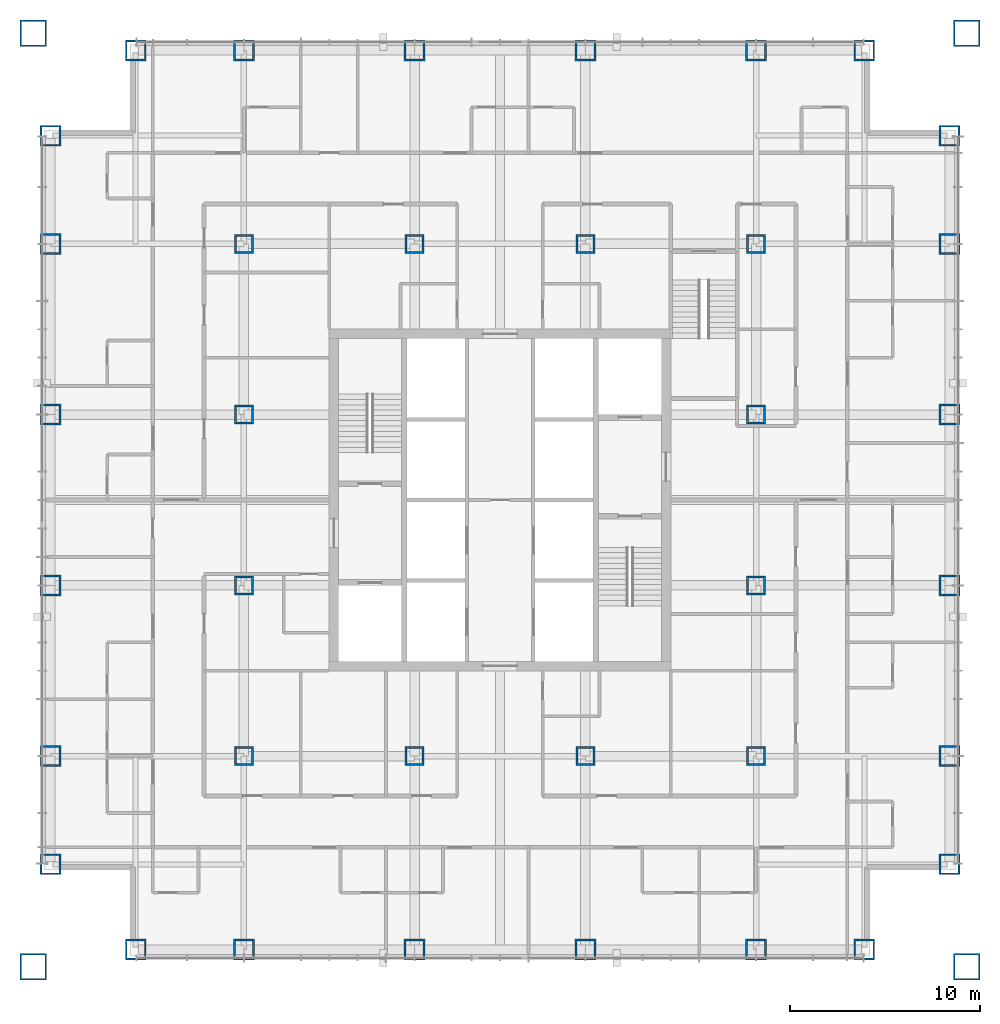
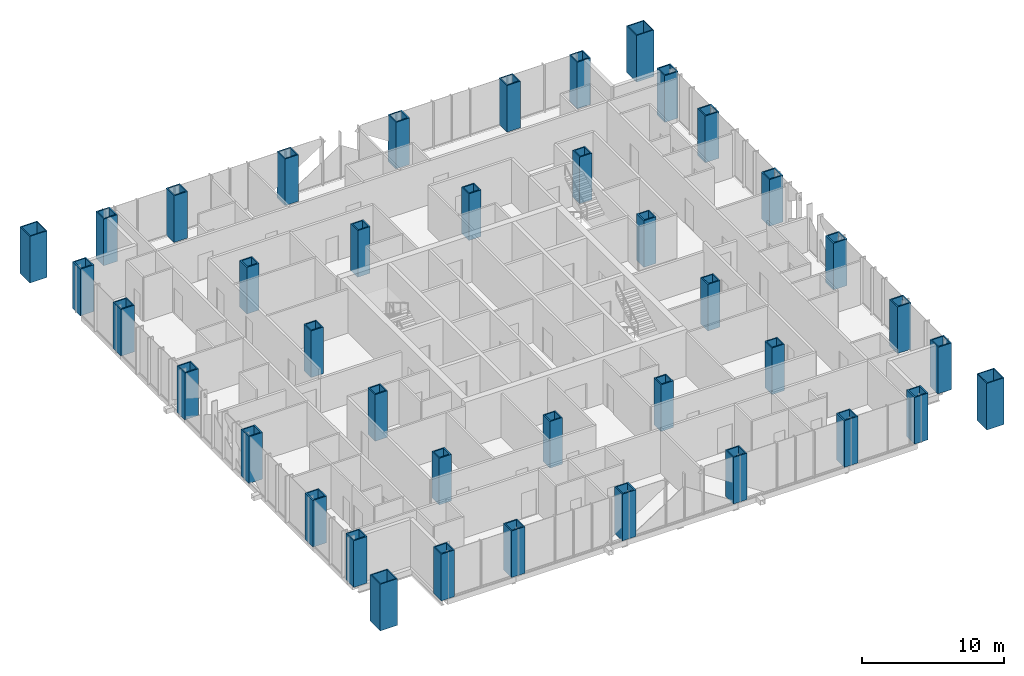
# One storey, part 1 of 16: 40 columns.
"""IFC4 building model written with IfcOpenShell, lengths in metres."""

from ifc_helpers import new_model, si_unit, direction, frame, origin, origin_2d, place, context, subcontext, project, spatial, hollow_rectangle, extrude, material, material_profile, profile_set, type_object, element, save


model = new_model("IFC4")

# Units and contexts
model_context = context("Model", 3, precision=1e-05, world=origin(), true_north=direction((0.0, 1.0)))
body_context = subcontext(model_context, "Body", "Model", "MODEL_VIEW")
ifc_project = project(units=[si_unit("LENGTHUNIT", "METRE"), si_unit("AREAUNIT", "SQUARE_METRE"), si_unit("VOLUMEUNIT", "CUBIC_METRE"), si_unit("PLANEANGLEUNIT", "RADIAN"), si_unit("MASSUNIT", "GRAM", prefix="KILO")], contexts=[model_context])

# Site, building, storey
site_placement = place(None, origin())
site = spatial("IfcSite", under=ifc_project, at=site_placement, CompositionType="ELEMENT")
building_placement = place(site_placement, origin())
building = spatial("IfcBuilding", under=site, at=building_placement, Name="Malebo Sky Hospital", CompositionType="ELEMENT")
storey_placement = place(building_placement, frame((0.0, 0.0, 152.0)))
storey = spatial("IfcBuildingStorey", under=building, at=storey_placement, Name="L36", CompositionType="ELEMENT", Elevation=152.0)

# Columns
ifc_material = material(Name="Steel S460", Category="steel")
ifc_material_profile_1 = material_profile(ifc_material, hollow_rectangle(XDim=1.0, YDim=1.0, WallThickness=0.10009765625, at=origin_2d()), Name="BOX 1000x1000x100")
ifc_profile_set_1 = profile_set([ifc_material_profile_1], Name="Steel S460")
column_type_1 = type_object("IfcColumnType", Name="INNER COLUMN BOX 1000x1000x100", PredefinedType="COLUMN", material=ifc_profile_set_1)
for number, where, z_axis, x_axis, name in (
    (1, (46.5, 48.5, 0.0), (0.0, 0.0, 1.0), (1.0, 0.0, 0.0), "Column IC9 L36"),
    (2, (73.5, 48.5, 0.0), (0.0, 0.0, 1.0), (1.0, 0.0, 0.0), "Column IC9 L36"),
    (3, (73.5, 75.5, 0.0), (0.0, 0.0, 1.0), (1.0, 0.0, 0.0), "Column IC9 L36"),
    (4, (46.5, 75.5, 0.0), (0.0, 0.0, 1.0), (1.0, 0.0, 0.0), "Column IC9 L36"),
    (5, (55.5, 48.5, 0.0), (0.0, 0.0, 1.0), (1.0, 0.0, 0.0), "Column IC9 L36"),
    (6, (64.5, 48.5, 0.0), (0.0, 0.0, 1.0), (1.0, 0.0, 0.0), "Column IC9 L36"),
    (7, (55.5, 75.5, 0.0), (0.0, 0.0, 1.0), (1.0, 0.0, 0.0), "Column IC9 L36"),
    (8, (64.5, 75.5, 0.0), (0.0, 0.0, 1.0), (1.0, 0.0, 0.0), "Column IC9 L36"),
    (9, (46.5, 57.5, 0.0), (0.0, 0.0, 1.0), (1.0, 0.0, 0.0), "Column IC9 L36"),
    (10, (46.5, 66.5, 0.0), (0.0, 0.0, 1.0), (1.0, 0.0, 0.0), "Column IC9 L36"),
    (11, (73.5, 57.5, 0.0), (0.0, 0.0, 1.0), (1.0, 0.0, 0.0), "Column IC9 L36"),
    (12, (73.5, 66.5, 0.0), (0.0, 0.0, 1.0), (1.0, 0.0, 0.0), "Column IC9 L36"),
):
    element("IfcColumn", number, at=place(storey_placement, frame(where, z_axis=z_axis, x_axis=x_axis)), inside=storey, type_object=column_type_1, Name=name, PredefinedType="COLUMN", context=body_context, shape_type="SweptSolid", body=[
        extrude(hollow_rectangle(XDim=1.0, YDim=1.0, WallThickness=0.10009765625, at=origin_2d()), origin(), (0.0, 0.0, 1.0), 4.0),
    ])
ifc_material_profile_2 = material_profile(ifc_material, hollow_rectangle(XDim=1.39990234375, YDim=1.39990234375, WallThickness=0.080078125, at=origin_2d()), Name="BOX 1400x1400x80")
ifc_profile_set_2 = profile_set([ifc_material_profile_2], Name="Steel S460")
column_type_2 = type_object("IfcColumnType", Name="MEGA COLUMN BOX 1400x1400x80", PredefinedType="COLUMN", material=ifc_profile_set_2)
for number, where, z_axis, x_axis, name in (
    (13, (35.39990234375, 37.39990234375, 0.0), (0.0, 0.0, 1.0), (1.0, 0.0, 0.0), "Mega column SW L36"),
    (14, (84.60009765625, 37.39990234375, 0.0), (0.0, 0.0, 1.0), (1.0, 0.0, 0.0), "Mega column SE L36"),
    (15, (84.60009765625, 86.60009765625, 0.0), (0.0, 0.0, 1.0), (1.0, 0.0, 0.0), "Mega column NE L36"),
    (16, (35.39990234375, 86.60009765625, 0.0), (0.0, 0.0, 1.0), (1.0, 0.0, 0.0), "Mega column NW L36"),
):
    element("IfcColumn", number, at=place(storey_placement, frame(where, z_axis=z_axis, x_axis=x_axis)), inside=storey, type_object=column_type_2, Name=name, PredefinedType="COLUMN", context=body_context, shape_type="SweptSolid", body=[
        extrude(hollow_rectangle(XDim=1.39990234375, YDim=1.39990234375, WallThickness=0.080078125, at=origin_2d()), origin(), (0.0, 0.0, 1.0), 4.0),
    ])
ifc_material_profile_3 = material_profile(ifc_material, hollow_rectangle(XDim=1.10009765625, YDim=1.10009765625, WallThickness=0.10009765625, at=origin_2d()), Name="BOX 1100x1100x100")
ifc_profile_set_3 = profile_set([ifc_material_profile_3], Name="Steel S460")
column_type_3 = type_object("IfcColumnType", Name="PERIMETER COLUMN BOX 1100x1100x100", PredefinedType="COLUMN", material=ifc_profile_set_3)
for number, where, z_axis, x_axis, name in (
    (17, (40.800048828125, 38.300048828125, 0.0), (0.0, 0.0, 1.0), (1.0, 0.0, 0.0), "Column PC10 L36"),
    (18, (40.800048828125, 85.699951171875, 0.0), (0.0, 0.0, 1.0), (1.0, 0.0, 0.0), "Column PC10 L36"),
    (19, (36.300048828125, 42.800048828125, 0.0), (0.0, 0.0, 1.0), (1.0, 0.0, 0.0), "Column PC10 L36"),
    (20, (83.699951171875, 42.800048828125, 0.0), (0.0, 0.0, 1.0), (1.0, 0.0, 0.0), "Column PC10 L36"),
    (21, (46.5, 38.300048828125, 0.0), (0.0, 0.0, 1.0), (1.0, 0.0, 0.0), "Column PC10 L36"),
    (22, (46.5, 85.699951171875, 0.0), (0.0, 0.0, 1.0), (1.0, 0.0, 0.0), "Column PC10 L36"),
    (23, (36.300048828125, 48.5, 0.0), (0.0, 0.0, 1.0), (1.0, 0.0, 0.0), "Column PC10 L36"),
    (24, (83.699951171875, 48.5, 0.0), (0.0, 0.0, 1.0), (1.0, 0.0, 0.0), "Column PC10 L36"),
    (25, (55.5, 38.300048828125, 0.0), (0.0, 0.0, 1.0), (1.0, 0.0, 0.0), "Column PC10 L36"),
    (26, (55.5, 85.699951171875, 0.0), (0.0, 0.0, 1.0), (1.0, 0.0, 0.0), "Column PC10 L36"),
    (27, (36.300048828125, 57.5, 0.0), (0.0, 0.0, 1.0), (1.0, 0.0, 0.0), "Column PC10 L36"),
    (28, (83.699951171875, 57.5, 0.0), (0.0, 0.0, 1.0), (1.0, 0.0, 0.0), "Column PC10 L36"),
    (29, (64.5, 38.300048828125, 0.0), (0.0, 0.0, 1.0), (1.0, 0.0, 0.0), "Column PC10 L36"),
    (30, (64.5, 85.699951171875, 0.0), (0.0, 0.0, 1.0), (1.0, 0.0, 0.0), "Column PC10 L36"),
    (31, (36.300048828125, 66.5, 0.0), (0.0, 0.0, 1.0), (1.0, 0.0, 0.0), "Column PC10 L36"),
    (32, (83.699951171875, 66.5, 0.0), (0.0, 0.0, 1.0), (1.0, 0.0, 0.0), "Column PC10 L36"),
    (33, (73.5, 38.300048828125, 0.0), (0.0, 0.0, 1.0), (1.0, 0.0, 0.0), "Column PC10 L36"),
    (34, (73.5, 85.699951171875, 0.0), (0.0, 0.0, 1.0), (1.0, 0.0, 0.0), "Column PC10 L36"),
    (35, (36.300048828125, 75.5, 0.0), (0.0, 0.0, 1.0), (1.0, 0.0, 0.0), "Column PC10 L36"),
    (36, (83.699951171875, 75.5, 0.0), (0.0, 0.0, 1.0), (1.0, 0.0, 0.0), "Column PC10 L36"),
    (37, (79.199951171875, 38.300048828125, 0.0), (0.0, 0.0, 1.0), (1.0, 0.0, 0.0), "Column PC10 L36"),
    (38, (79.199951171875, 85.699951171875, 0.0), (0.0, 0.0, 1.0), (1.0, 0.0, 0.0), "Column PC10 L36"),
    (39, (36.300048828125, 81.199951171875, 0.0), (0.0, 0.0, 1.0), (1.0, 0.0, 0.0), "Column PC10 L36"),
    (40, (83.699951171875, 81.199951171875, 0.0), (0.0, 0.0, 1.0), (1.0, 0.0, 0.0), "Column PC10 L36"),
):
    element("IfcColumn", number, at=place(storey_placement, frame(where, z_axis=z_axis, x_axis=x_axis)), inside=storey, type_object=column_type_3, Name=name, PredefinedType="COLUMN", context=body_context, shape_type="SweptSolid", body=[
        extrude(hollow_rectangle(XDim=1.10009765625, YDim=1.10009765625, WallThickness=0.10009765625, at=origin_2d()), origin(), (0.0, 0.0, 1.0), 4.0),
    ])

save(model, "model.ifc")
